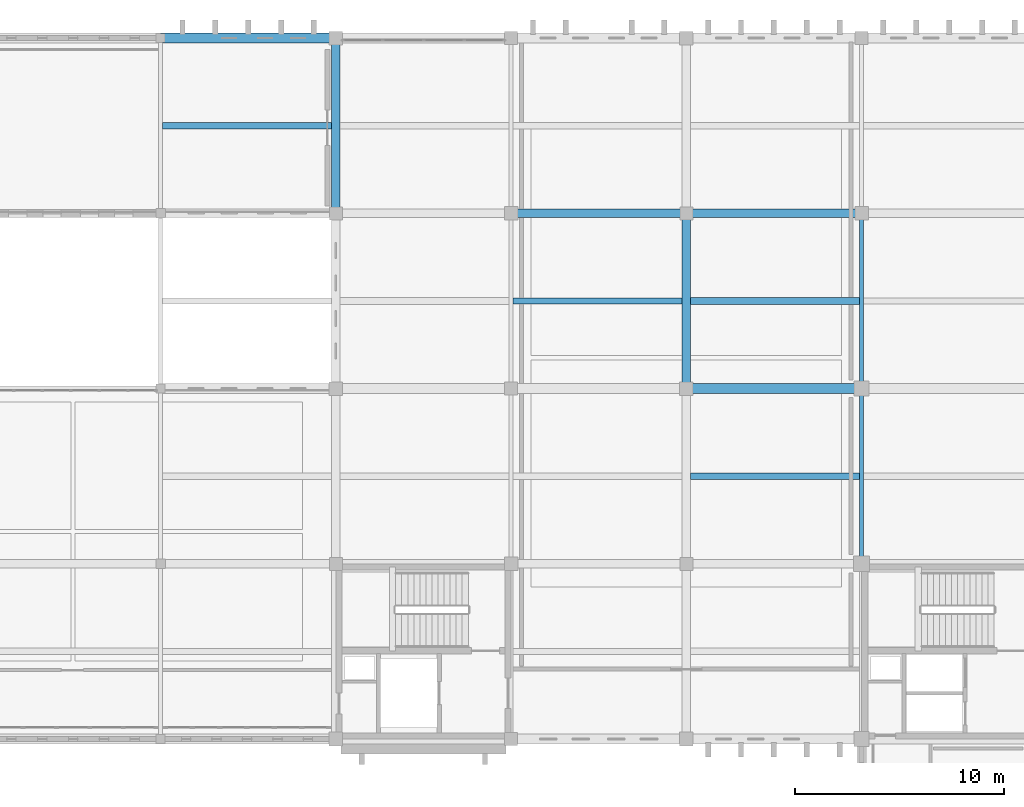
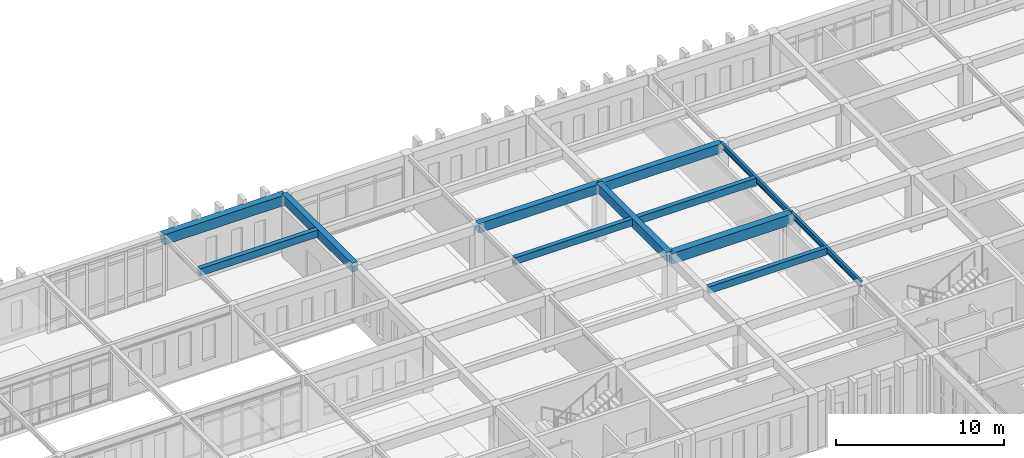
# One storey, part 98 of 192: 12 beams.
"""IFC4 building model written with IfcOpenShell, lengths in metres."""

from ifc_helpers import new_model, si_unit, direction, frame, origin, origin_2d, place, context, subcontext, project, spatial, rectangle, i_section, extrude, material, material_profile, profile_set, type_object, element, save


model = new_model("IFC4")

# Units and contexts
model_context = context("Model", 3, precision=1e-05, world=origin(), true_north=direction((0.0, 1.0)))
body_context = subcontext(model_context, "Body", "Model", "MODEL_VIEW")
ifc_project = project(units=[si_unit("LENGTHUNIT", "METRE"), si_unit("AREAUNIT", "SQUARE_METRE"), si_unit("VOLUMEUNIT", "CUBIC_METRE"), si_unit("PLANEANGLEUNIT", "RADIAN"), si_unit("MASSUNIT", "GRAM", prefix="KILO")], contexts=[model_context])

# Site, building, storey
site_placement = place(None, origin())
site = spatial("IfcSite", under=ifc_project, at=site_placement, CompositionType="ELEMENT")
building_placement = place(site_placement, origin())
building = spatial("IfcBuilding", under=site, at=building_placement, Name="Kveldsbrygga Polytechnic", CompositionType="ELEMENT")
storey_placement = place(building_placement, frame((0.0, 0.0, 5.43994140625)))
storey = spatial("IfcBuildingStorey", under=building, at=storey_placement, Name="L01", CompositionType="ELEMENT", Elevation=5.43994140625)

# Beams
ifc_material_1 = material(Name="Concrete C35/45", Category="concrete")
ifc_material_profile_1 = material_profile(ifc_material_1, rectangle(XDim=0.39990234375, YDim=0.64990234375, at=origin_2d()), Name="RC 400x650")
ifc_profile_set_1 = profile_set([ifc_material_profile_1], Name="Concrete C35/45")
beam_type_1 = type_object("IfcBeamType", Name="BM-RC-400x650", PredefinedType="BEAM", material=ifc_profile_set_1)
beam_1_placement = place(storey_placement, frame((100.800048828125, 109.199951171875, 3.795166015625), z_axis=(0.0, 1.0, 0.0), x_axis=(-1.0, 0.0, 0.0)))
element("IfcBeam", 1, at=beam_1_placement, inside=storey, type_object=beam_type_1, Name="Primary Beam BMY-L01-12-13to14", PredefinedType="BEAM", context=body_context, shape_type="SweptSolid", body=[
    extrude(rectangle(XDim=0.39990234375, YDim=0.64990234375, at=origin_2d()), origin(), (0.0, 0.0, 1.0), 8.400146484375),
])
beam_2_placement = place(storey_placement, frame((117.60009765625, 100.800048828125, 3.795166015625), z_axis=(0.0, 1.0, 0.0), x_axis=(-1.0, 0.0, 0.0)))
element("IfcBeam", 2, at=beam_2_placement, inside=storey, type_object=beam_type_1, Name="Primary Beam BMY-L01-14-12to13", PredefinedType="BEAM", context=body_context, shape_type="SweptSolid", body=[
    extrude(rectangle(XDim=0.39990234375, YDim=0.64990234375, at=origin_2d()), origin(), (0.0, 0.0, 1.0), 8.39990234375),
])
ifc_material_profile_2 = material_profile(ifc_material_1, rectangle(XDim=0.419921875, YDim=0.679931640625, at=origin_2d()), Name="RC 420x680")
ifc_profile_set_2 = profile_set([ifc_material_profile_2], Name="Concrete C35/45")
beam_type_2 = type_object("IfcBeamType", Name="BM-RC-420x680", PredefinedType="BEAM", material=ifc_profile_set_2)
beam_3_placement = place(storey_placement, frame((109.199951171875, 109.199951171875, 3.780029296875), z_axis=(1.0, 0.0, 0.0), x_axis=(0.0, 1.0, 0.0)))
element("IfcBeam", 3, at=beam_3_placement, inside=storey, type_object=beam_type_2, Name="Primary Beam BMX-L01-13to14-13", PredefinedType="BEAM", context=body_context, shape_type="SweptSolid", body=[
    extrude(rectangle(XDim=0.419921875, YDim=0.679931640625, at=origin_2d()), origin(), (0.0, 0.0, 1.0), 8.400146484375),
])
beam_4_placement = place(storey_placement, frame((117.60009765625, 109.199951171875, 3.780029296875), z_axis=(1.0, 0.0, 0.0), x_axis=(0.0, 1.0, 0.0)))
element("IfcBeam", 4, at=beam_4_placement, inside=storey, type_object=beam_type_2, Name="Primary Beam BMX-L01-14to15-13", PredefinedType="BEAM", context=body_context, shape_type="SweptSolid", body=[
    extrude(rectangle(XDim=0.419921875, YDim=0.679931640625, at=origin_2d()), origin(), (0.0, 0.0, 1.0), 8.39990234375),
])
ifc_material_profile_3 = material_profile(ifc_material_1, rectangle(XDim=0.4599609375, YDim=0.739990234375, at=origin_2d()), Name="RC 460x740")
ifc_profile_set_3 = profile_set([ifc_material_profile_3], Name="Concrete C35/45")
beam_type_3 = type_object("IfcBeamType", Name="BM-RC-460x740", PredefinedType="BEAM", material=ifc_profile_set_3)
beam_5_placement = place(storey_placement, frame((92.39990234375, 117.60009765625, 3.75), z_axis=(1.0, 0.0, 0.0), x_axis=(0.0, 1.0, 0.0)))
element("IfcBeam", 5, at=beam_5_placement, inside=storey, type_object=beam_type_3, Name="Primary Beam BMX-L01-11to12-14", PredefinedType="BEAM", context=body_context, shape_type="SweptSolid", body=[
    extrude(rectangle(XDim=0.4599609375, YDim=0.739990234375, at=origin_2d()), origin(), (0.0, 0.0, 1.0), 8.400146484375),
])
ifc_material_profile_4 = material_profile(ifc_material_1, rectangle(XDim=0.47998046875, YDim=0.780029296875, at=origin_2d()), Name="RC 480x780")
ifc_profile_set_4 = profile_set([ifc_material_profile_4], Name="Concrete C35/45")
beam_type_4 = type_object("IfcBeamType", Name="BM-RC-480x780", PredefinedType="BEAM", material=ifc_profile_set_4)
beam_6_placement = place(storey_placement, frame((117.60009765625, 100.800048828125, 3.72998046875), z_axis=(1.0, 0.0, 0.0), x_axis=(0.0, 1.0, 0.0)))
element("IfcBeam", 6, at=beam_6_placement, inside=storey, type_object=beam_type_4, Name="Primary Beam BMX-L01-14to15-12", PredefinedType="BEAM", context=body_context, shape_type="SweptSolid", body=[
    extrude(rectangle(XDim=0.47998046875, YDim=0.780029296875, at=origin_2d()), origin(), (0.0, 0.0, 1.0), 8.39990234375),
])
ifc_material_2 = material(Name="Steel S355", Category="steel")
ifc_material_profile_5 = material_profile(ifc_material_2, i_section(OverallWidth=0.179931640625, OverallDepth=0.39990234375, WebThickness=0.008544921875, FlangeThickness=0.013427734375, FilletRadius=0.02099609375, at=origin_2d()), Name="IPE 400")
ifc_profile_set_5 = profile_set([ifc_material_profile_5], Name="Steel S355")
beam_type_5 = type_object("IfcBeamType", Name="BM-STL-IPE400", PredefinedType="BEAM", material=ifc_profile_set_5)
beam_7_placement = place(storey_placement, frame((126.0, 92.39990234375, 3.920166015625), z_axis=(0.0, 1.0, 0.0), x_axis=(-1.0, 0.0, 0.0)))
element("IfcBeam", 7, at=beam_7_placement, inside=storey, type_object=beam_type_5, Name="Primary Beam BMY-L01-15-11to12", PredefinedType="BEAM", context=body_context, shape_type="SweptSolid", body=[
    extrude(i_section(OverallWidth=0.179931640625, OverallDepth=0.39990234375, WebThickness=0.008544921875, FlangeThickness=0.013427734375, FilletRadius=0.02099609375, at=origin_2d()), origin(), (0.0, 0.0, 1.0), 8.400146484375),
])
beam_8_placement = place(storey_placement, frame((126.0, 100.800048828125, 3.920166015625), z_axis=(0.0, 1.0, 0.0), x_axis=(-1.0, 0.0, 0.0)))
element("IfcBeam", 8, at=beam_8_placement, inside=storey, type_object=beam_type_5, Name="Primary Beam BMY-L01-15-12to13", PredefinedType="BEAM", context=body_context, shape_type="SweptSolid", body=[
    extrude(i_section(OverallWidth=0.179931640625, OverallDepth=0.39990234375, WebThickness=0.008544921875, FlangeThickness=0.013427734375, FilletRadius=0.02099609375, at=origin_2d()), origin(), (0.0, 0.0, 1.0), 8.39990234375),
])
ifc_material_profile_6 = material_profile(ifc_material_1, rectangle(XDim=0.300048828125, YDim=0.5, at=origin_2d()), Name="RC 300x500")
ifc_profile_set_6 = profile_set([ifc_material_profile_6], Name="Concrete C35/45")
beam_type_6 = type_object("IfcBeamType", Name="JST-RC-300x500", PredefinedType="JOIST", material=ifc_profile_set_6)
for number, where, z_axis, x_axis, name in (
    (9, (109.2900390625, 105.0, 3.8701171875), (1.0, 0.0, 0.0), (0.0, 1.0, 0.0), "Secondary Joist JST-L01-13-12"),
    (10, (117.800048828125, 96.60009765625, 3.8701171875), (1.0, 0.0, 0.0), (0.0, 1.0, 0.0), "Secondary Joist JST-L01-14-11"),
):
    element("IfcBeam", number, at=place(storey_placement, frame(where, z_axis=z_axis, x_axis=x_axis)), inside=storey, type_object=beam_type_6, Name=name, PredefinedType="JOIST", context=body_context, shape_type="SweptSolid", body=[
        extrude(rectangle(XDim=0.300048828125, YDim=0.5, at=origin_2d()), origin(), (0.0, 0.0, 1.0), 8.10986328125),
    ])
ifc_material_profile_7 = material_profile(ifc_material_1, rectangle(XDim=0.320068359375, YDim=0.52001953125, at=origin_2d()), Name="RC 320x520")
ifc_profile_set_7 = profile_set([ifc_material_profile_7], Name="Concrete C35/45")
beam_type_7 = type_object("IfcBeamType", Name="JST-RC-320x520", PredefinedType="JOIST", material=ifc_profile_set_7)
beam_9_placement = place(storey_placement, frame((92.489990234375, 113.39990234375, 3.860107421875), z_axis=(1.0, 0.0, 0.0), x_axis=(0.0, 1.0, 0.0)))
element("IfcBeam", 11, at=beam_9_placement, inside=storey, type_object=beam_type_7, Name="Secondary Joist JST-L01-11-13", PredefinedType="JOIST", context=body_context, shape_type="SweptSolid", body=[
    extrude(rectangle(XDim=0.320068359375, YDim=0.52001953125, at=origin_2d()), origin(), (0.0, 0.0, 1.0), 8.110107421875),
])
beam_10_placement = place(storey_placement, frame((117.800048828125, 105.0, 3.860107421875), z_axis=(1.0, 0.0, 0.0), x_axis=(0.0, 1.0, 0.0)))
element("IfcBeam", 12, at=beam_10_placement, inside=storey, type_object=beam_type_7, Name="Secondary Joist JST-L01-14-12", PredefinedType="JOIST", context=body_context, shape_type="SweptSolid", body=[
    extrude(rectangle(XDim=0.320068359375, YDim=0.52001953125, at=origin_2d()), origin(), (0.0, 0.0, 1.0), 8.10986328125),
])

save(model, "model.ifc")
